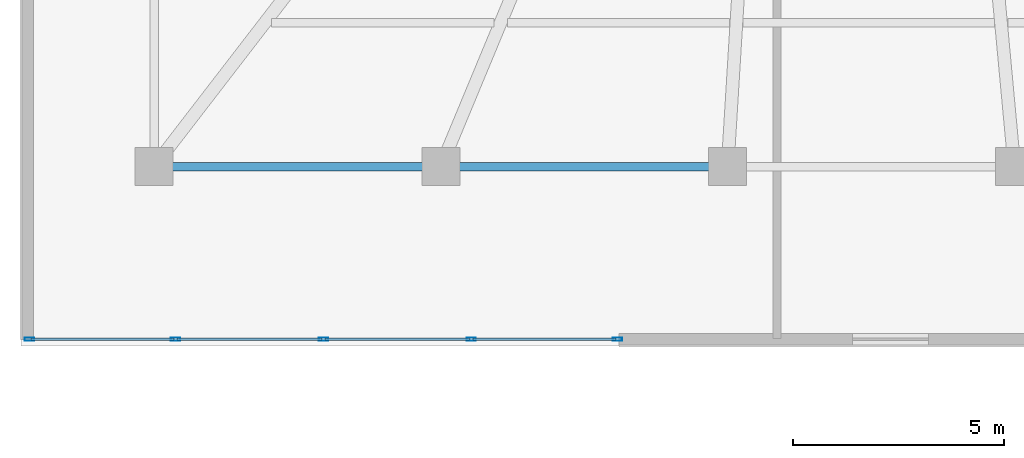
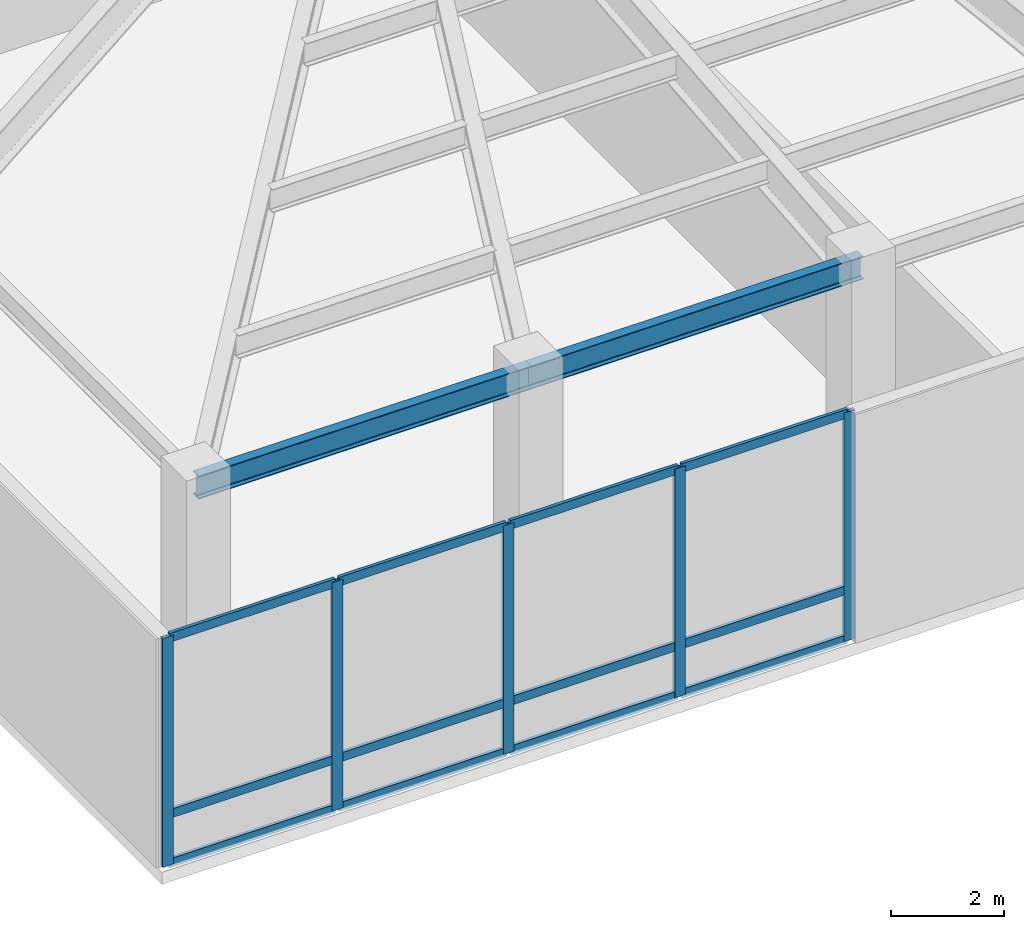
# One storey, part 2 of 15: 17 members, 2 beams, 1 element without a shape of its own.
"""IFC4 building model written with IfcOpenShell, lengths in metres."""

from ifc_helpers import new_model, si_unit, direction, frame, origin, origin_2d, place, context, subcontext, project, spatial, hollow_rectangle, i_section, extrude, material, material_profile, profile_set, type_object, element, aggregate, save


model = new_model("IFC4")

# Units and contexts
model_context = context("Model", 3, precision=1e-05, world=origin(), true_north=direction((0.0, 1.0)))
body_context = subcontext(model_context, "Body", "Model", "MODEL_VIEW")
ifc_project = project(units=[si_unit("LENGTHUNIT", "METRE"), si_unit("AREAUNIT", "SQUARE_METRE"), si_unit("VOLUMEUNIT", "CUBIC_METRE"), si_unit("PLANEANGLEUNIT", "RADIAN"), si_unit("MASSUNIT", "GRAM", prefix="KILO")], contexts=[model_context])

# Site, building, storey
site_placement = place(None, origin())
site = spatial("IfcSite", under=ifc_project, at=site_placement, CompositionType="ELEMENT")
building_placement = place(site_placement, origin())
building = spatial("IfcBuilding", under=site, at=building_placement, Name="Yelkora Congress Tower", CompositionType="ELEMENT")
storey_placement = place(building_placement, frame((0.0, 0.0, 10.39990234375)))
storey = spatial("IfcBuildingStorey", under=building, at=storey_placement, Name="L02", CompositionType="ELEMENT", Elevation=10.39990234375)

# Beams
ifc_material_1 = material(Name="Steel S355J2", Category="steel")
ifc_material_profile_1 = material_profile(ifc_material_1, i_section(OverallWidth=0.199951171875, OverallDepth=0.5, WebThickness=0.01025390625, FlangeThickness=0.01611328125, FilletRadius=0.02099609375, at=origin_2d()), Name="IPE 500")
ifc_profile_set_1 = profile_set([ifc_material_profile_1], Name="Steel S355J2")
beam_type = type_object("IfcBeamType", Name="BM-SPAN-IPE500B", PredefinedType="BEAM", material=ifc_profile_set_1)
for number, where, z_axis, x_axis, name in (
    (1, (4.449951171875, 6.050048828125, 4.690185546875), (1.0, 0.0, 0.0), (0.0, 1.0, 0.0), "L02 Perimeter Beam 2"),
    (2, (11.239990234375, 6.050048828125, 4.690185546875), (1.0, 0.0, 0.0), (0.0, 1.0, 0.0), "L02 Perimeter Beam 3"),
):
    element("IfcBeam", number, at=place(storey_placement, frame(where, z_axis=z_axis, x_axis=x_axis)), inside=storey, type_object=beam_type, Name=name, PredefinedType="BEAM", context=body_context, shape_type="SweptSolid", body=[
        extrude(i_section(OverallWidth=0.199951171875, OverallDepth=0.5, WebThickness=0.01025390625, FlangeThickness=0.01611328125, FilletRadius=0.02099609375, at=origin_2d()), origin(), (0.0, 0.0, 1.0), 6.7900390625),
    ])

# Curtain wall, members
ifc_material_2 = material(Name="Anodised aluminium and insulated glass", Category="aluminium")
curtain_wall_type = type_object("IfcCurtainWallType", Name="CW-SYS-POD", PredefinedType="NOTDEFINED", material=ifc_material_2)
curtain_wall_placement = place(storey_placement, origin())
curtain_wall = element("IfcCurtainWall", 3, at=curtain_wall_placement, inside=storey, type_object=curtain_wall_type, Name="L02 Podium Curtain Wall West", PredefinedType="NOTDEFINED")
ifc_material_3 = material(Name="Anodised aluminium 6063-T6", Category="aluminium")
ifc_material_profile_2 = material_profile(ifc_material_3, hollow_rectangle(XDim=0.074951171875, YDim=0.219970703125, WallThickness=0.0048828125, at=origin_2d()), Name="ALU 75x220x5")
ifc_profile_set_2 = profile_set([ifc_material_profile_2], Name="Anodised aluminium 6063-T6")
member_type_1 = type_object("IfcMemberType", Name="MEM-ML-POD", PredefinedType="MULLION", material=ifc_profile_set_2)
member_1_placement = place(storey_placement, frame((1.49755859375, 1.9599609375, 0.0), z_axis=(0.0, 0.0, 1.0), x_axis=(0.0, 1.0, 0.0)))
member_1 = element("IfcMember", 4, at=member_1_placement, type_object=member_type_1, Name="CW-POD mullion 1", PredefinedType="MULLION", context=body_context, shape_type="SweptSolid", body=[
    extrude(hollow_rectangle(XDim=0.074951171875, YDim=0.219970703125, WallThickness=0.0048828125, at=origin_2d()), origin(), (0.0, 0.0, 1.0), 4.940185546875),
])
member_2_placement = place(storey_placement, frame((4.9599609375, 1.9599609375, 0.0), z_axis=(0.0, 0.0, 1.0), x_axis=(0.0, 1.0, 0.0)))
member_2 = element("IfcMember", 5, at=member_2_placement, type_object=member_type_1, Name="CW-POD mullion 2", PredefinedType="MULLION", context=body_context, shape_type="SweptSolid", body=[
    extrude(hollow_rectangle(XDim=0.074951171875, YDim=0.219970703125, WallThickness=0.0048828125, at=origin_2d()), origin(), (0.0, 0.0, 1.0), 4.940185546875),
])
member_3_placement = place(storey_placement, frame((8.4599609375, 1.9599609375, 0.0), z_axis=(0.0, 0.0, 1.0), x_axis=(0.0, 1.0, 0.0)))
member_3 = element("IfcMember", 6, at=member_3_placement, type_object=member_type_1, Name="CW-POD mullion 3", PredefinedType="MULLION", context=body_context, shape_type="SweptSolid", body=[
    extrude(hollow_rectangle(XDim=0.074951171875, YDim=0.219970703125, WallThickness=0.0048828125, at=origin_2d()), origin(), (0.0, 0.0, 1.0), 4.940185546875),
])
member_4_placement = place(storey_placement, frame((11.9599609375, 1.9599609375, 0.0), z_axis=(0.0, 0.0, 1.0), x_axis=(0.0, 1.0, 0.0)))
member_4 = element("IfcMember", 7, at=member_4_placement, type_object=member_type_1, Name="CW-POD mullion 4", PredefinedType="MULLION", context=body_context, shape_type="SweptSolid", body=[
    extrude(hollow_rectangle(XDim=0.074951171875, YDim=0.219970703125, WallThickness=0.0048828125, at=origin_2d()), origin(), (0.0, 0.0, 1.0), 4.940185546875),
])
member_5_placement = place(storey_placement, frame((15.422607421875, 1.9599609375, 0.0), z_axis=(0.0, 0.0, 1.0), x_axis=(0.0, 1.0, 0.0)))
member_5 = element("IfcMember", 8, at=member_5_placement, type_object=member_type_1, Name="CW-POD mullion 5", PredefinedType="MULLION", context=body_context, shape_type="SweptSolid", body=[
    extrude(hollow_rectangle(XDim=0.074951171875, YDim=0.219970703125, WallThickness=0.0048828125, at=origin_2d()), origin(), (0.0, 0.0, 1.0), 4.940185546875),
])
ifc_material_profile_3 = material_profile(ifc_material_3, hollow_rectangle(XDim=0.070068359375, YDim=0.18994140625, WallThickness=0.00390625, at=origin_2d()), Name="ALU 70x190x4")
ifc_profile_set_3 = profile_set([ifc_material_profile_3], Name="Anodised aluminium 6063-T6")
member_type_2 = type_object("IfcMemberType", Name="MEM-TR-POD", PredefinedType="USERDEFINED", material=ifc_profile_set_3)
member_6_placement = place(storey_placement, frame((1.534912109375, 1.9599609375, 0.03515625), z_axis=(1.0, 0.0, 0.0), x_axis=(0.0, 1.0, 0.0)))
member_6 = element("IfcMember", 9, at=member_6_placement, type_object=member_type_2, Name="CW-POD transom 1.1", ObjectType="TRANSOM", PredefinedType="USERDEFINED", context=body_context, shape_type="SweptSolid", body=[
    extrude(hollow_rectangle(XDim=0.070068359375, YDim=0.18994140625, WallThickness=0.00390625, at=origin_2d()), origin(), (0.0, 0.0, 1.0), 3.3876953125),
])
member_7_placement = place(storey_placement, frame((1.534912109375, 1.9599609375, 1.10009765625), z_axis=(1.0, 0.0, 0.0), x_axis=(0.0, 1.0, 0.0)))
member_7 = element("IfcMember", 10, at=member_7_placement, type_object=member_type_2, Name="CW-POD transom 1.2", ObjectType="TRANSOM", PredefinedType="USERDEFINED", context=body_context, shape_type="SweptSolid", body=[
    extrude(hollow_rectangle(XDim=0.070068359375, YDim=0.18994140625, WallThickness=0.00390625, at=origin_2d()), origin(), (0.0, 0.0, 1.0), 3.3876953125),
])
member_8_placement = place(storey_placement, frame((1.534912109375, 1.9599609375, 4.905029296875), z_axis=(1.0, 0.0, 0.0), x_axis=(0.0, 1.0, 0.0)))
member_8 = element("IfcMember", 11, at=member_8_placement, type_object=member_type_2, Name="CW-POD transom 1.3", ObjectType="TRANSOM", PredefinedType="USERDEFINED", context=body_context, shape_type="SweptSolid", body=[
    extrude(hollow_rectangle(XDim=0.070068359375, YDim=0.18994140625, WallThickness=0.00390625, at=origin_2d()), origin(), (0.0, 0.0, 1.0), 3.3876953125),
])
member_9_placement = place(storey_placement, frame((4.99755859375, 1.9599609375, 0.03515625), z_axis=(1.0, 0.0, 0.0), x_axis=(0.0, 1.0, 0.0)))
member_9 = element("IfcMember", 12, at=member_9_placement, type_object=member_type_2, Name="CW-POD transom 2.1", ObjectType="TRANSOM", PredefinedType="USERDEFINED", context=body_context, shape_type="SweptSolid", body=[
    extrude(hollow_rectangle(XDim=0.070068359375, YDim=0.18994140625, WallThickness=0.00390625, at=origin_2d()), origin(), (0.0, 0.0, 1.0), 3.425048828125),
])
member_10_placement = place(storey_placement, frame((4.99755859375, 1.9599609375, 1.10009765625), z_axis=(1.0, 0.0, 0.0), x_axis=(0.0, 1.0, 0.0)))
member_10 = element("IfcMember", 13, at=member_10_placement, type_object=member_type_2, Name="CW-POD transom 2.2", ObjectType="TRANSOM", PredefinedType="USERDEFINED", context=body_context, shape_type="SweptSolid", body=[
    extrude(hollow_rectangle(XDim=0.070068359375, YDim=0.18994140625, WallThickness=0.00390625, at=origin_2d()), origin(), (0.0, 0.0, 1.0), 3.425048828125),
])
member_11_placement = place(storey_placement, frame((4.99755859375, 1.9599609375, 4.905029296875), z_axis=(1.0, 0.0, 0.0), x_axis=(0.0, 1.0, 0.0)))
member_11 = element("IfcMember", 14, at=member_11_placement, type_object=member_type_2, Name="CW-POD transom 2.3", ObjectType="TRANSOM", PredefinedType="USERDEFINED", context=body_context, shape_type="SweptSolid", body=[
    extrude(hollow_rectangle(XDim=0.070068359375, YDim=0.18994140625, WallThickness=0.00390625, at=origin_2d()), origin(), (0.0, 0.0, 1.0), 3.425048828125),
])
member_12_placement = place(storey_placement, frame((8.49755859375, 1.9599609375, 0.03515625), z_axis=(1.0, 0.0, 0.0), x_axis=(0.0, 1.0, 0.0)))
member_12 = element("IfcMember", 15, at=member_12_placement, type_object=member_type_2, Name="CW-POD transom 3.1", ObjectType="TRANSOM", PredefinedType="USERDEFINED", context=body_context, shape_type="SweptSolid", body=[
    extrude(hollow_rectangle(XDim=0.070068359375, YDim=0.18994140625, WallThickness=0.00390625, at=origin_2d()), origin(), (0.0, 0.0, 1.0), 3.425048828125),
])
member_13_placement = place(storey_placement, frame((8.49755859375, 1.9599609375, 1.10009765625), z_axis=(1.0, 0.0, 0.0), x_axis=(0.0, 1.0, 0.0)))
member_13 = element("IfcMember", 16, at=member_13_placement, type_object=member_type_2, Name="CW-POD transom 3.2", ObjectType="TRANSOM", PredefinedType="USERDEFINED", context=body_context, shape_type="SweptSolid", body=[
    extrude(hollow_rectangle(XDim=0.070068359375, YDim=0.18994140625, WallThickness=0.00390625, at=origin_2d()), origin(), (0.0, 0.0, 1.0), 3.425048828125),
])
member_14_placement = place(storey_placement, frame((8.49755859375, 1.9599609375, 4.905029296875), z_axis=(1.0, 0.0, 0.0), x_axis=(0.0, 1.0, 0.0)))
member_14 = element("IfcMember", 17, at=member_14_placement, type_object=member_type_2, Name="CW-POD transom 3.3", ObjectType="TRANSOM", PredefinedType="USERDEFINED", context=body_context, shape_type="SweptSolid", body=[
    extrude(hollow_rectangle(XDim=0.070068359375, YDim=0.18994140625, WallThickness=0.00390625, at=origin_2d()), origin(), (0.0, 0.0, 1.0), 3.425048828125),
])
member_15_placement = place(storey_placement, frame((11.99755859375, 1.9599609375, 0.03515625), z_axis=(1.0, 0.0, 0.0), x_axis=(0.0, 1.0, 0.0)))
member_15 = element("IfcMember", 18, at=member_15_placement, type_object=member_type_2, Name="CW-POD transom 4.1", ObjectType="TRANSOM", PredefinedType="USERDEFINED", context=body_context, shape_type="SweptSolid", body=[
    extrude(hollow_rectangle(XDim=0.070068359375, YDim=0.18994140625, WallThickness=0.00390625, at=origin_2d()), origin(), (0.0, 0.0, 1.0), 3.387451171875),
])
member_16_placement = place(storey_placement, frame((11.99755859375, 1.9599609375, 1.10009765625), z_axis=(1.0, 0.0, 0.0), x_axis=(0.0, 1.0, 0.0)))
member_16 = element("IfcMember", 19, at=member_16_placement, type_object=member_type_2, Name="CW-POD transom 4.2", ObjectType="TRANSOM", PredefinedType="USERDEFINED", context=body_context, shape_type="SweptSolid", body=[
    extrude(hollow_rectangle(XDim=0.070068359375, YDim=0.18994140625, WallThickness=0.00390625, at=origin_2d()), origin(), (0.0, 0.0, 1.0), 3.387451171875),
])
member_17_placement = place(storey_placement, frame((11.99755859375, 1.9599609375, 4.905029296875), z_axis=(1.0, 0.0, 0.0), x_axis=(0.0, 1.0, 0.0)))
member_17 = element("IfcMember", 20, at=member_17_placement, type_object=member_type_2, Name="CW-POD transom 4.3", ObjectType="TRANSOM", PredefinedType="USERDEFINED", context=body_context, shape_type="SweptSolid", body=[
    extrude(hollow_rectangle(XDim=0.070068359375, YDim=0.18994140625, WallThickness=0.00390625, at=origin_2d()), origin(), (0.0, 0.0, 1.0), 3.387451171875),
])
aggregate(curtain_wall, [member_1, member_2, member_3, member_4, member_5, member_6, member_7, member_8, member_9, member_10, member_11, member_12, member_13, member_14, member_15, member_16, member_17])

save(model, "model.ifc")
